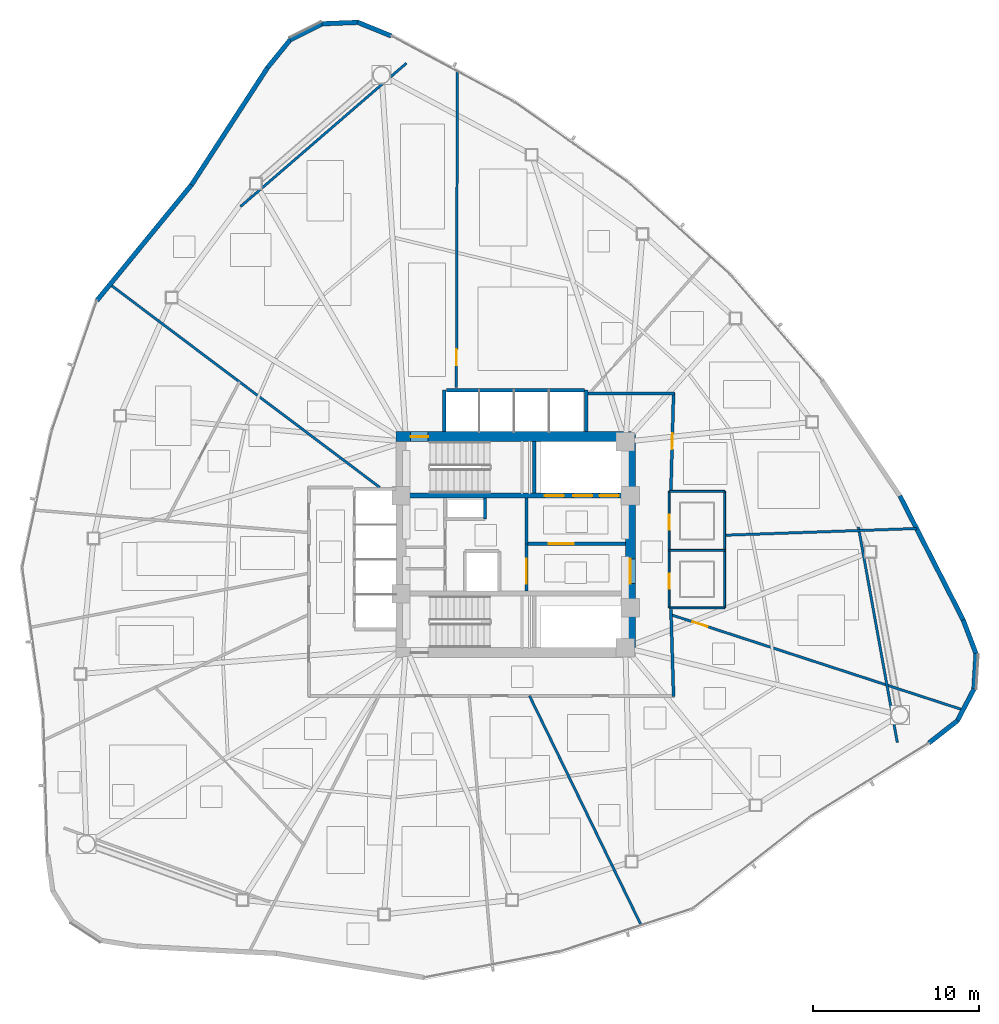
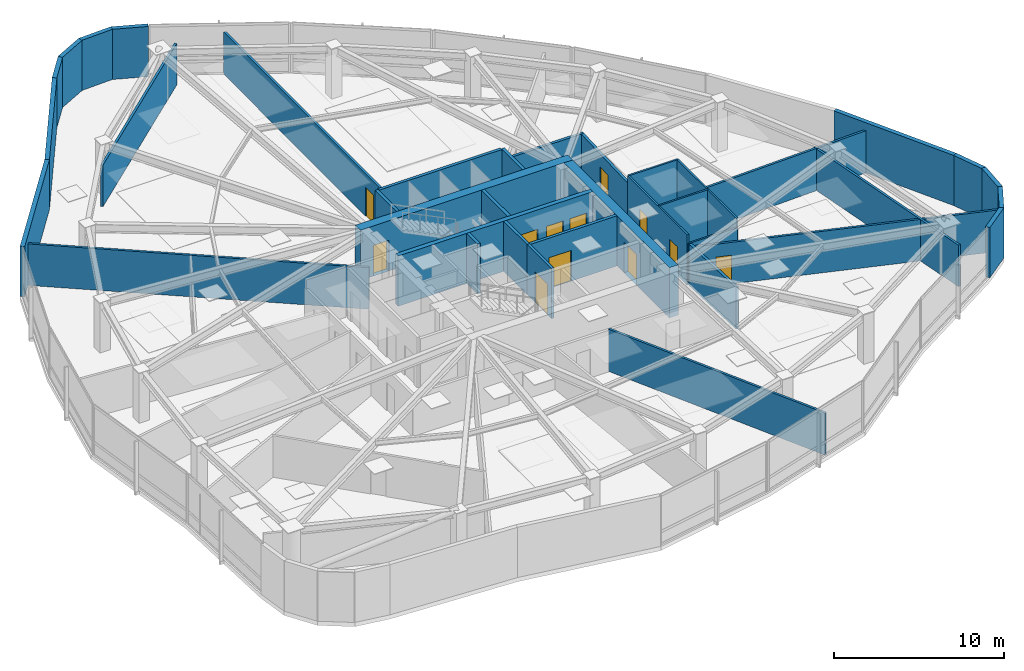
# One storey, part 12 of 17: 37 walls, 12 doors, 12 openings.
"""IFC4 building model written with IfcOpenShell, lengths in metres."""

from ifc_helpers import new_model, si_unit, direction, frame, frame_2d, origin, place, context, subcontext, project, spatial, rectangle, extrude, material, layer, layer_set, type_object, element, fill, save


model = new_model("IFC4")

# Units and contexts
model_context = context("Model", 3, precision=1e-05, world=origin(), true_north=direction((0.0, 1.0)))
body_context = subcontext(model_context, "Body", "Model", "MODEL_VIEW")
ifc_project = project(units=[si_unit("LENGTHUNIT", "METRE"), si_unit("AREAUNIT", "SQUARE_METRE"), si_unit("VOLUMEUNIT", "CUBIC_METRE"), si_unit("PLANEANGLEUNIT", "RADIAN"), si_unit("MASSUNIT", "GRAM", prefix="KILO")], contexts=[model_context])

# Site, building, storey
site_placement = place(None, origin())
site = spatial("IfcSite", under=ifc_project, at=site_placement, CompositionType="ELEMENT")
building_placement = place(site_placement, origin())
building = spatial("IfcBuilding", under=site, at=building_placement, Name="Tavelor Broadcast Tower", CompositionType="ELEMENT")
storey_placement = place(building_placement, frame((0.0, 0.0, 86.10009765625)))
storey = spatial("IfcBuildingStorey", under=building, at=storey_placement, Name="L20", CompositionType="ELEMENT", Elevation=86.10009765625)

# Wall, opening, door
ifc_material_1 = material(Name="Concrete C60/75", Category="concrete")
ifc_layer_1 = layer(ifc_material_1, 0.60009765625)
ifc_layer_set_1 = layer_set([ifc_layer_1], Name="Concrete C60/75")
wall_type_1 = type_object("IfcWallType", Name="Core Shear Wall 600 mm", PredefinedType="SHEAR", material=ifc_layer_set_1)
wall_1_placement = place(storey_placement, frame((42.800048828125, 51.5, 0.0), z_axis=(0.0, 0.0, 1.0), x_axis=(1.0, 0.0, 0.0)))
wall_1 = element("IfcWall", 1, at=wall_1_placement, inside=storey, type_object=wall_type_1, Name="L20 Central Core Shear Wall N", PredefinedType="SHEAR", context=body_context, shape_type="SweptSolid", body=[
    extrude(rectangle(XDim=14.39990234375, YDim=0.60009765625, at=frame_2d((7.199951171875, 0.0))), origin(), (0.0, 0.0, 1.0), 3.599853515625),
])
opening_1_placement = place(wall_1_placement, frame((0.8798828125, 0.0, 0.0)))
opening_1 = element("IfcOpeningElement", 2, at=opening_1_placement, cuts=wall_1, Name="Opening DR11", PredefinedType="OPENING", context=body_context, shape_type="SweptSolid", body=[
    extrude(rectangle(XDim=1.050048828125, YDim=2.199951171875, at=frame_2d((0.52490234375, 1.10009765625))), frame((0.0, 0.31005859375, 0.0), z_axis=(0.0, -1.0, 0.0), x_axis=(1.0, 0.0, 0.0)), (0.0, 0.0, 1.0), 0.6201171875),
])
ifc_material_2 = material(Name="Steel S355", Category="steel")
door_type_1 = type_object("IfcDoorType", Name="Stair Core Fire Escape Door 1050x2200", OperationType="NOTDEFINED", PredefinedType="DOOR", material=ifc_material_2)
door_1_placement = place(opening_1_placement, origin())
door_1 = element("IfcDoor", 3, at=door_1_placement, inside=storey, type_object=door_type_1, Name="L20 Stair ST1 Protected Exit Door", OperationType="SINGLE_SWING_LEFT", OverallHeight=2.199951171875, OverallWidth=1.050048828125, PredefinedType="DOOR", context=body_context, shape_type="SweptSolid", body=[
    extrude(rectangle(XDim=1.050048828125, YDim=2.199951171875, at=frame_2d((0.52490234375, 1.10009765625))), frame((0.0, 0.02490234375, 0.0), z_axis=(0.0, -1.0, 0.0), x_axis=(1.0, 0.0, 0.0)), (0.0, 0.0, 1.0), 0.050048828125),
])
fill(opening_1, door_1)

wall_2_placement = place(storey_placement, frame((56.89990234375, 38.800048828125, 0.0), z_axis=(0.0, 0.0, 1.0), x_axis=(0.0, 1.0, 0.0)))
wall_2 = element("IfcWall", 4, at=wall_2_placement, inside=storey, type_object=wall_type_1, Name="L20 Central Core Shear Wall E", PredefinedType="SHEAR", context=body_context, shape_type="SweptSolid", body=[
    extrude(rectangle(XDim=12.39990234375, YDim=0.60009765625, at=frame_2d((6.199951171875, 0.0))), origin(), (0.0, 0.0, 1.0), 3.599853515625),
])
opening_2_placement = place(wall_2_placement, frame((3.85009765625, 0.0, 0.0)))
opening_2 = element("IfcOpeningElement", 5, at=opening_2_placement, cuts=wall_2, Name="Opening DR14", PredefinedType="OPENING", context=body_context, shape_type="SweptSolid", body=[
    extrude(rectangle(XDim=1.5, YDim=2.199951171875, at=frame_2d((0.75, 1.10009765625))), frame((0.0, 0.31005859375, 0.0), z_axis=(0.0, -1.0, 0.0), x_axis=(1.0, 0.0, 0.0)), (0.0, 0.0, 1.0), 0.6201171875),
])
door_type_2 = type_object("IfcDoorType", Name="Firefighting Lobby Double Fire Door 1500x2200", OperationType="NOTDEFINED", PredefinedType="DOOR", material=ifc_material_2)
door_2_placement = place(opening_2_placement, origin())
door_2 = element("IfcDoor", 6, at=door_2_placement, inside=storey, type_object=door_type_2, Name="L20 Central Core Lobby Fire Door", OperationType="SINGLE_SWING_RIGHT", OverallHeight=2.199951171875, OverallWidth=1.5, PredefinedType="DOOR", context=body_context, shape_type="SweptSolid", body=[
    extrude(rectangle(XDim=1.5, YDim=2.199951171875, at=frame_2d((0.75, 1.10009765625))), frame((0.0, 0.02490234375, 0.0), z_axis=(0.0, -1.0, 0.0), x_axis=(1.0, 0.0, 0.0)), (0.0, 0.0, 1.0), 0.050048828125),
])
fill(opening_2, door_2)

# Wall, openings, doors
ifc_layer_2 = layer(ifc_material_1, 0.300048828125)
ifc_layer_set_2 = layer_set([ifc_layer_2], Name="Concrete C60/75")
wall_type_2 = type_object("IfcWallType", Name="Core Spine Shear Wall 300 mm C60", PredefinedType="SHEAR", material=ifc_layer_set_2)
wall_3_placement = place(storey_placement, frame((43.39990234375, 47.949951171875, 0.0), z_axis=(0.0, 0.0, 1.0), x_axis=(1.0, 0.0, 0.0)))
wall_3 = element("IfcWall", 7, at=wall_3_placement, inside=storey, type_object=wall_type_2, Name="L20 Central Core Shear Wall SP1", PredefinedType="SHEAR", context=body_context, shape_type="SweptSolid", body=[
    extrude(rectangle(XDim=13.2001953125, YDim=0.300048828125, at=frame_2d((6.60009765625, 0.0))), origin(), (0.0, 0.0, 1.0), 3.599853515625),
])
opening_3_placement = place(wall_3_placement, frame((8.344970703125, 0.0, 0.0)))
opening_3 = element("IfcOpeningElement", 8, at=opening_3_placement, cuts=wall_3, Name="Opening LD02", PredefinedType="OPENING", context=body_context, shape_type="SweptSolid", body=[
    extrude(rectangle(XDim=1.14990234375, YDim=2.199951171875, at=frame_2d((0.574951171875, 1.10009765625))), frame((0.0, 0.16015625, 0.0), z_axis=(0.0, -1.0, 0.0), x_axis=(1.0, 0.0, 0.0)), (0.0, 0.0, 1.0), 0.320068359375),
])
opening_4_placement = place(wall_3_placement, frame((10.06494140625, 0.0, 0.0)))
opening_4 = element("IfcOpeningElement", 9, at=opening_4_placement, cuts=wall_3, Name="Opening LD02", PredefinedType="OPENING", context=body_context, shape_type="SweptSolid", body=[
    extrude(rectangle(XDim=1.14990234375, YDim=2.199951171875, at=frame_2d((0.574951171875, 1.10009765625))), frame((0.0, 0.16015625, 0.0), z_axis=(0.0, -1.0, 0.0), x_axis=(1.0, 0.0, 0.0)), (0.0, 0.0, 1.0), 0.320068359375),
])
opening_5_placement = place(wall_3_placement, frame((11.64501953125, 0.0, 0.0)))
opening_5 = element("IfcOpeningElement", 10, at=opening_5_placement, cuts=wall_3, Name="Opening LD03", PredefinedType="OPENING", context=body_context, shape_type="SweptSolid", body=[
    extrude(rectangle(XDim=1.14990234375, YDim=2.199951171875, at=frame_2d((0.574951171875, 1.10009765625))), frame((0.0, 0.16015625, 0.0), z_axis=(0.0, -1.0, 0.0), x_axis=(1.0, 0.0, 0.0)), (0.0, 0.0, 1.0), 0.320068359375),
])
ifc_material_3 = material(Name="Reinforced Brushed Stainless Steel", Category="concrete")
door_type_3 = type_object("IfcDoorType", Name="Broadcast Goods Lift Sliding Landing Door 1250x2200", OperationType="NOTDEFINED", PredefinedType="DOOR", material=ifc_material_3)
door_3_placement = place(opening_5_placement, origin())
door_3 = element("IfcDoor", 11, at=door_3_placement, inside=storey, type_object=door_type_3, Name="L20 Lift SVL1 Sliding Landing Door", OperationType="SLIDING_TO_LEFT", OverallHeight=2.199951171875, OverallWidth=1.14990234375, PredefinedType="DOOR", context=body_context, shape_type="SweptSolid", body=[
    extrude(rectangle(XDim=1.14990234375, YDim=2.199951171875, at=frame_2d((0.574951171875, 1.10009765625))), frame((0.0, 0.02490234375, 0.0), z_axis=(0.0, -1.0, 0.0), x_axis=(1.0, 0.0, 0.0)), (0.0, 0.0, 1.0), 0.050048828125),
])
fill(opening_5, door_3)
ifc_material_4 = material(Name="Fire-Rated Stainless Steel", Category="steel")
door_type_4 = type_object("IfcDoorType", Name="Firefighting Lift Sliding Landing Door 1200x2200", OperationType="NOTDEFINED", PredefinedType="DOOR", material=ifc_material_4)
door_4_placement = place(opening_3_placement, origin())
door_4 = element("IfcDoor", 12, at=door_4_placement, inside=storey, type_object=door_type_4, Name="L20 Lift FFL1 Sliding Landing Door", OperationType="SLIDING_TO_LEFT", OverallHeight=2.199951171875, OverallWidth=1.14990234375, PredefinedType="DOOR", context=body_context, shape_type="SweptSolid", body=[
    extrude(rectangle(XDim=1.14990234375, YDim=2.199951171875, at=frame_2d((0.574951171875, 1.10009765625))), frame((0.0, 0.02490234375, 0.0), z_axis=(0.0, -1.0, 0.0), x_axis=(1.0, 0.0, 0.0)), (0.0, 0.0, 1.0), 0.050048828125),
])
fill(opening_3, door_4)
door_5_placement = place(opening_4_placement, origin())
door_5 = element("IfcDoor", 13, at=door_5_placement, inside=storey, type_object=door_type_4, Name="L20 Lift FFL2 Sliding Landing Door", OperationType="SLIDING_TO_LEFT", OverallHeight=2.199951171875, OverallWidth=1.14990234375, PredefinedType="DOOR", context=body_context, shape_type="SweptSolid", body=[
    extrude(rectangle(XDim=1.14990234375, YDim=2.199951171875, at=frame_2d((0.574951171875, 1.10009765625))), frame((0.0, 0.02490234375, 0.0), z_axis=(0.0, -1.0, 0.0), x_axis=(1.0, 0.0, 0.0)), (0.0, 0.0, 1.0), 0.050048828125),
])
fill(opening_4, door_5)

# Wall, opening, door
ifc_material_5 = material(Name="Calcium Silicate Fire Board 180 mm", Category="gypsum")
ifc_layer_3 = layer(ifc_material_5, 0.179931640625)
ifc_layer_set_3 = layer_set([ifc_layer_3], Name="Calcium Silicate Fire Board 180 mm")
wall_type_3 = type_object("IfcWallType", Name="Fire-Rated Corridor Partition Wall 180 mm", PredefinedType="PARTITIONING", material=ifc_layer_set_3)
wall_4_placement = place(storey_placement, frame((50.64990234375, 42.199951171875, 0.0), z_axis=(0.0, 0.0, 1.0), x_axis=(0.0, 1.0, 0.0)))
wall_4 = element("IfcWall", 14, at=wall_4_placement, inside=storey, type_object=wall_type_3, Name="L20 Core Lobby Zoning Wall", PredefinedType="PARTITIONING", context=body_context, shape_type="SweptSolid", body=[
    extrude(rectangle(XDim=2.85009765625, YDim=0.179931640625, at=frame_2d((1.425048828125, 0.0))), origin(), (0.0, 0.0, 1.0), 3.599853515625),
])
opening_6_placement = place(wall_4_placement, frame((0.449951171875, 0.0, 0.0)))
opening_6 = element("IfcOpeningElement", 15, at=opening_6_placement, cuts=wall_4, Name="Opening DR14", PredefinedType="OPENING", context=body_context, shape_type="SweptSolid", body=[
    extrude(rectangle(XDim=1.5, YDim=2.199951171875, at=frame_2d((0.75, 1.10009765625))), frame((0.0, 0.10009765625, 0.0), z_axis=(0.0, -1.0, 0.0), x_axis=(1.0, 0.0, 0.0)), (0.0, 0.0, 1.0), 0.199951171875),
])
door_6_placement = place(opening_6_placement, origin())
door_6 = element("IfcDoor", 16, at=door_6_placement, inside=storey, type_object=door_type_2, Name="L20 Core West Lobby Double Fire Door", OperationType="SINGLE_SWING_RIGHT", OverallHeight=2.199951171875, OverallWidth=1.5, PredefinedType="DOOR", context=body_context, shape_type="SweptSolid", body=[
    extrude(rectangle(XDim=1.5, YDim=2.199951171875, at=frame_2d((0.75, 1.10009765625))), frame((0.0, 0.02490234375, 0.0), z_axis=(0.0, -1.0, 0.0), x_axis=(1.0, 0.0, 0.0)), (0.0, 0.0, 1.0), 0.050048828125),
])
fill(opening_6, door_6)

# Wall
wall_5_placement = place(storey_placement, frame((54.300048828125, 54.10009765625, 0.0), z_axis=(0.0, 0.0, 1.0), x_axis=(1.0, 0.0, 0.0)))
element("IfcWall", 17, at=wall_5_placement, inside=storey, type_object=wall_type_3, Name="L20 Corridor Compartment Wall 01", PredefinedType="PARTITIONING", context=body_context, shape_type="SweptSolid", body=[
    extrude(rectangle(XDim=5.25, YDim=0.179931640625, at=frame_2d((2.625, 0.0))), origin(), (0.0, 0.0, 1.0), 2.974853515625),
])

# Wall, opening, door
wall_6_placement = place(storey_placement, frame((59.50146484375, 54.14990234375, 0.0), z_axis=(0.0, 0.0, 1.0), x_axis=(-0.027367567602, -0.999625437973, 0.0)))
wall_6 = element("IfcWall", 18, at=wall_6_placement, inside=storey, type_object=wall_type_3, Name="L20 Corridor Compartment Wall 02", PredefinedType="PARTITIONING", context=body_context, shape_type="SweptSolid", body=[
    extrude(rectangle(XDim=5.85205078125, YDim=0.179931640625, at=frame_2d((2.926025390625, 0.0))), origin(), (0.0, 0.0, 1.0), 2.974853515625),
])
opening_7_placement = place(wall_6_placement, frame((2.451171875, 0.0, 0.0)))
opening_7 = element("IfcOpeningElement", 19, at=opening_7_placement, cuts=wall_6, Name="Opening DR18", PredefinedType="OPENING", context=body_context, shape_type="SweptSolid", body=[
    extrude(rectangle(XDim=0.949951171875, YDim=2.050048828125, at=frame_2d((0.47509765625, 1.02490234375))), frame((0.0, 0.10009765625, 0.0), z_axis=(0.0, -1.0, 0.0), x_axis=(1.0, 0.0, 0.0)), (0.0, 0.0, 1.0), 0.199951171875),
])
ifc_material_6 = material(Name="Timber Solid Core Hardwood", Category="wood")
door_type_5 = type_object("IfcDoorType", Name="Corridor Rated Compartment Door 950x2050", OperationType="NOTDEFINED", PredefinedType="DOOR", material=ifc_material_6)
door_7_placement = place(opening_7_placement, origin())
door_7 = element("IfcDoor", 20, at=door_7_placement, inside=storey, type_object=door_type_5, Name="L20 International Bureau Office Door R9", OperationType="SINGLE_SWING_LEFT", OverallHeight=2.050048828125, OverallWidth=0.949951171875, PredefinedType="DOOR", context=body_context, shape_type="SweptSolid", body=[
    extrude(rectangle(XDim=0.949951171875, YDim=2.050048828125, at=frame_2d((0.47509765625, 1.02490234375))), frame((0.0, 0.02490234375, 0.0), z_axis=(0.0, -1.0, 0.0), x_axis=(1.0, 0.0, 0.0)), (0.0, 0.0, 1.0), 0.050048828125),
])
fill(opening_7, door_7)

# Walls
wall_7_placement = place(storey_placement, frame((59.341552734375, 41.10009765625, 0.0), z_axis=(0.0, 0.0, 1.0), x_axis=(0.030445329425, -0.999536433511, 0.0)))
element("IfcWall", 21, at=wall_7_placement, inside=storey, type_object=wall_type_3, Name="L20 Corridor Compartment Wall 03", PredefinedType="PARTITIONING", context=body_context, shape_type="SweptSolid", body=[
    extrude(rectangle(XDim=5.25244140625, YDim=0.179931640625, at=frame_2d((2.626220703125, 0.0))), origin(), (0.0, 0.0, 1.0), 2.974853515625),
])
ifc_material_7 = material(Name="Precast Concrete C40/50", Category="concrete")
ifc_layer_4 = layer(ifc_material_7, 0.280029296875)
ifc_layer_set_4 = layer_set([ifc_layer_4], Name="Precast Concrete C40/50")
wall_type_4 = type_object("IfcWallType", Name="Insulated Precast Terracotta Facade Wall 280 mm", PredefinedType="STANDARD", material=ifc_layer_set_4)
wall_8_placement = place(storey_placement, frame((42.50732421875, 75.6240234375, 0.0), z_axis=(0.0, 0.0, 1.0), x_axis=(-0.926851598558, 0.375427908194, 0.0)))
element("IfcWall", 22, at=wall_8_placement, inside=storey, type_object=wall_type_4, Name="L20 Rounded Corner Structural Cladding Pier 01", PredefinedType="STANDARD", context=body_context, shape_type="SweptSolid", body=[
    extrude(rectangle(XDim=2.1875, YDim=0.280029296875, at=frame_2d((1.09375, 0.0))), origin(), (0.0, 0.0, 1.0), 3.599853515625),
])
for number, where, z_axis, x_axis, name in (
    (23, (40.5087890625, 76.440185546875, 0.0), (0.0, 0.0, 1.0), (-0.999233242148, -0.039152621703, 0.0), "L20 Rounded Corner Structural Cladding Pier 02"),
    (24, (38.36279296875, 76.3623046875, 0.0), (0.0, 0.0, 1.0), (-0.894516916348, -0.44703409978, 0.0), "L20 Rounded Corner Structural Cladding Pier 03"),
):
    element("IfcWall", number, at=place(storey_placement, frame(where, z_axis=z_axis, x_axis=x_axis)), inside=storey, type_object=wall_type_4, Name=name, PredefinedType="STANDARD", context=body_context, shape_type="SweptSolid", body=[
        extrude(rectangle(XDim=2.17626953125, YDim=0.280029296875, at=frame_2d((1.088134765625, 0.0))), origin(), (0.0, 0.0, 1.0), 3.599853515625),
    ])
wall_9_placement = place(storey_placement, frame((36.43896484375, 75.407958984375, 0.0), z_axis=(0.0, 0.0, 1.0), x_axis=(-0.631294698171, -0.775543038175, 0.0)))
element("IfcWall", 25, at=wall_9_placement, inside=storey, type_object=wall_type_4, Name="L20 Rounded Corner Structural Cladding Pier 04", PredefinedType="STANDARD", context=body_context, shape_type="SweptSolid", body=[
    extrude(rectangle(XDim=2.198486328125, YDim=0.280029296875, at=frame_2d((1.09912109375, 0.0))), origin(), (0.0, 0.0, 1.0), 3.599853515625),
])
wall_10_placement = place(storey_placement, frame((35.068603515625, 73.72705078125, 0.0), z_axis=(0.0, 0.0, 1.0), x_axis=(-0.544309027103, -0.838884785304, 0.0)))
element("IfcWall", 26, at=wall_10_placement, inside=storey, type_object=wall_type_4, Name="L20 Rounded Corner Structural Cladding Pier 05", PredefinedType="STANDARD", context=body_context, shape_type="SweptSolid", body=[
    extrude(rectangle(XDim=8.427978515625, YDim=0.280029296875, at=frame_2d((4.2138671875, 0.0))), origin(), (0.0, 0.0, 1.0), 3.599853515625),
])
wall_11_placement = place(storey_placement, frame((30.4990234375, 66.68115234375, 0.0), z_axis=(0.0, 0.0, 1.0), x_axis=(-0.632922306021, -0.774215315362, 0.0)))
element("IfcWall", 27, at=wall_11_placement, inside=storey, type_object=wall_type_4, Name="L20 Rounded Corner Structural Cladding Pier 06", PredefinedType="STANDARD", context=body_context, shape_type="SweptSolid", body=[
    extrude(rectangle(XDim=9.019775390625, YDim=0.280029296875, at=frame_2d((4.509765625, 0.0))), origin(), (0.0, 0.0, 1.0), 3.599853515625),
])
wall_12_placement = place(storey_placement, frame((74.86767578125, 33.05908203125, 0.0), z_axis=(0.0, 0.0, 1.0), x_axis=(0.788540193269, 0.61498322221, 0.0)))
element("IfcWall", 28, at=wall_12_placement, inside=storey, type_object=wall_type_4, Name="L20 Rounded Corner Structural Cladding Pier 21", PredefinedType="STANDARD", context=body_context, shape_type="SweptSolid", body=[
    extrude(rectangle(XDim=2.1875, YDim=0.280029296875, at=frame_2d((1.09375, 0.0))), origin(), (0.0, 0.0, 1.0), 3.599853515625),
])
for number, where, z_axis, x_axis, name in (
    (29, (76.57373046875, 34.3818359375, 0.0), (0.0, 0.0, 1.0), (0.465607704902, 0.884991223197, 0.0), "L20 Rounded Corner Structural Cladding Pier 22"),
    (30, (77.5791015625, 36.279296875, 0.0), (0.0, 0.0, 1.0), (0.060135994566, 0.998190193379, 0.0), "L20 Rounded Corner Structural Cladding Pier 23"),
):
    element("IfcWall", number, at=place(storey_placement, frame(where, z_axis=z_axis, x_axis=x_axis)), inside=storey, type_object=wall_type_4, Name=name, PredefinedType="STANDARD", context=body_context, shape_type="SweptSolid", body=[
        extrude(rectangle(XDim=2.176025390625, YDim=0.280029296875, at=frame_2d((1.087890625, 0.0))), origin(), (0.0, 0.0, 1.0), 3.599853515625),
    ])
wall_13_placement = place(storey_placement, frame((77.714599609375, 38.422607421875, 0.0), z_axis=(0.0, 0.0, 1.0), x_axis=(-0.356023034706, 0.934477179367, 0.0)))
element("IfcWall", 31, at=wall_13_placement, inside=storey, type_object=wall_type_4, Name="L20 Rounded Corner Structural Cladding Pier 24", PredefinedType="STANDARD", context=body_context, shape_type="SweptSolid", body=[
    extrude(rectangle(XDim=2.198486328125, YDim=0.280029296875, at=frame_2d((1.09912109375, 0.0))), origin(), (0.0, 0.0, 1.0), 3.599853515625),
])
wall_14_placement = place(storey_placement, frame((76.944091796875, 40.44970703125, 0.0), z_axis=(0.0, 0.0, 1.0), x_axis=(-0.454362243703, 0.890817013476, 0.0)))
element("IfcWall", 32, at=wall_14_placement, inside=storey, type_object=wall_type_4, Name="L20 Rounded Corner Structural Cladding Pier 25", PredefinedType="STANDARD", context=body_context, shape_type="SweptSolid", body=[
    extrude(rectangle(XDim=8.411865234375, YDim=0.280029296875, at=frame_2d((4.2060546875, 0.0))), origin(), (0.0, 0.0, 1.0), 3.599853515625),
])
ifc_material_8 = material(Name="Gypsum Acoustic Plasterboard 150 mm", Category="gypsum")
ifc_layer_5 = layer(ifc_material_8, 0.14990234375)
ifc_layer_set_5 = layer_set([ifc_layer_5], Name="Gypsum Acoustic Plasterboard 150 mm")
wall_type_5 = type_object("IfcWallType", Name="Interior Acoustic Partition Wall 150 mm", PredefinedType="PARTITIONING", material=ifc_layer_set_5)
wall_15_placement = place(storey_placement, frame((43.42138671875, 73.9794921875, 0.0), z_axis=(0.0, 0.0, 1.0), x_axis=(-0.756659135409, -0.653809569218, 0.0)))
element("IfcWall", 33, at=wall_15_placement, inside=storey, type_object=wall_type_5, Name="L20 Corner Tube Brace Furring Wall 1", PredefinedType="PARTITIONING", context=body_context, shape_type="SweptSolid", body=[
    extrude(rectangle(XDim=13.200439453125, YDim=0.14990234375, at=frame_2d((6.60009765625, 0.0))), origin(), (0.0, 0.0, 1.0), 2.974853515625),
])
wall_16_placement = place(storey_placement, frame((72.96923828125, 33.09130859375, 0.0), z_axis=(0.0, 0.0, 1.0), x_axis=(-0.177742578179, 0.984077017261, 0.0)))
element("IfcWall", 34, at=wall_16_placement, inside=storey, type_object=wall_type_5, Name="L20 Corner Tube Brace Furring Wall 3", PredefinedType="PARTITIONING", context=body_context, shape_type="SweptSolid", body=[
    extrude(rectangle(XDim=13.179443359375, YDim=0.14990234375, at=frame_2d((6.58984375, 0.0))), origin(), (0.0, 0.0, 1.0), 2.974853515625),
])
wall_17_placement = place(storey_placement, frame((50.828857421875, 35.89990234375, 0.0), z_axis=(0.0, 0.0, 1.0), x_axis=(0.437604942245, -0.899167345116, 0.0)))
element("IfcWall", 35, at=wall_17_placement, inside=storey, type_object=wall_type_5, Name="L20 Radial Compartment Wall 05", PredefinedType="PARTITIONING", context=body_context, shape_type="SweptSolid", body=[
    extrude(rectangle(XDim=15.367431640625, YDim=0.14990234375, at=frame_2d((7.68359375, 0.0))), origin(), (0.0, 0.0, 1.0), 3.02490234375),
])

# Wall, opening, door
wall_18_placement = place(storey_placement, frame((59.351318359375, 40.779296875, 0.0), z_axis=(0.0, 0.0, 1.0), x_axis=(0.950783281681, -0.309856662468, 0.0)))
wall_18 = element("IfcWall", 36, at=wall_18_placement, inside=storey, type_object=wall_type_5, Name="L20 Radial Compartment Wall 06", PredefinedType="PARTITIONING", context=body_context, shape_type="SweptSolid", body=[
    extrude(rectangle(XDim=18.49462890625, YDim=0.14990234375, at=frame_2d((9.247314453125, 0.0))), origin(), (0.0, 0.0, 1.0), 2.974853515625),
])
opening_8_placement = place(wall_18_placement, frame((1.35009765625, 0.0, 0.0)))
opening_8 = element("IfcOpeningElement", 37, at=opening_8_placement, cuts=wall_18, Name="Opening DR18", PredefinedType="OPENING", context=body_context, shape_type="SweptSolid", body=[
    extrude(rectangle(XDim=0.949951171875, YDim=2.050048828125, at=frame_2d((0.47509765625, 1.02490234375))), frame((0.0, 0.0849609375, 0.0), z_axis=(0.0, -1.0, 0.0), x_axis=(1.0, 0.0, 0.0)), (0.0, 0.0, 1.0), 0.169921875),
])
door_8_placement = place(opening_8_placement, origin())
door_8 = element("IfcDoor", 38, at=door_8_placement, inside=storey, type_object=door_type_5, Name="L20 Suite Connecting Door 10", OperationType="SINGLE_SWING_RIGHT", OverallHeight=2.050048828125, OverallWidth=0.949951171875, PredefinedType="DOOR", context=body_context, shape_type="SweptSolid", body=[
    extrude(rectangle(XDim=0.949951171875, YDim=2.050048828125, at=frame_2d((0.47509765625, 1.02490234375))), frame((0.0, 0.02490234375, 0.0), z_axis=(0.0, -1.0, 0.0), x_axis=(1.0, 0.0, 0.0)), (0.0, 0.0, 1.0), 0.050048828125),
])
fill(opening_8, door_8)

# Wall
wall_19_placement = place(storey_placement, frame((62.64990234375, 45.5693359375, 0.0), z_axis=(0.0, 0.0, 1.0), x_axis=(0.999386624809, 0.035019625243, 0.0)))
element("IfcWall", 39, at=wall_19_placement, inside=storey, type_object=wall_type_5, Name="L20 Radial Compartment Wall 07", PredefinedType="PARTITIONING", context=body_context, shape_type="SweptSolid", body=[
    extrude(rectangle(XDim=11.49609375, YDim=0.14990234375, at=frame_2d((5.748046875, 0.0))), origin(), (0.0, 0.0, 1.0), 3.02490234375),
])

# Wall, opening, door
wall_20_placement = place(storey_placement, frame((46.428466796875, 54.449951171875, 0.0), z_axis=(0.0, 0.0, 1.0), x_axis=(0.002998909978, 0.999995503259, 0.0)))
wall_20 = element("IfcWall", 40, at=wall_20_placement, inside=storey, type_object=wall_type_5, Name="L20 Radial Compartment Wall 09", PredefinedType="PARTITIONING", context=body_context, shape_type="SweptSolid", body=[
    extrude(rectangle(XDim=19.0498046875, YDim=0.14990234375, at=frame_2d((9.52490234375, 0.0))), origin(), (0.0, 0.0, 1.0), 3.02490234375),
])
opening_9_placement = place(wall_20_placement, frame((1.35009765625, 0.0, 0.0)))
opening_9 = element("IfcOpeningElement", 41, at=opening_9_placement, cuts=wall_20, Name="Opening DR18", PredefinedType="OPENING", context=body_context, shape_type="SweptSolid", body=[
    extrude(rectangle(XDim=0.949951171875, YDim=2.050048828125, at=frame_2d((0.47509765625, 1.02490234375))), frame((0.0, 0.0849609375, 0.0), z_axis=(0.0, -1.0, 0.0), x_axis=(1.0, 0.0, 0.0)), (0.0, 0.0, 1.0), 0.169921875),
])
door_9_placement = place(opening_9_placement, origin())
door_9 = element("IfcDoor", 42, at=door_9_placement, inside=storey, type_object=door_type_5, Name="L20 Suite Connecting Door 7", OperationType="SINGLE_SWING_RIGHT", OverallHeight=2.050048828125, OverallWidth=0.949951171875, PredefinedType="DOOR", context=body_context, shape_type="SweptSolid", body=[
    extrude(rectangle(XDim=0.949951171875, YDim=2.050048828125, at=frame_2d((0.47509765625, 1.02490234375))), frame((0.0, 0.02490234375, 0.0), z_axis=(0.0, -1.0, 0.0), x_axis=(1.0, 0.0, 0.0)), (0.0, 0.0, 1.0), 0.050048828125),
])
fill(opening_9, door_9)

# Walls
wall_21_placement = place(storey_placement, frame((41.813720703125, 48.449951171875, 0.0), z_axis=(0.0, 0.0, 1.0), x_axis=(-0.79913144575, 0.601156329429, 0.0)))
element("IfcWall", 43, at=wall_21_placement, inside=storey, type_object=wall_type_5, Name="L20 Radial Compartment Wall 10", PredefinedType="PARTITIONING", context=body_context, shape_type="SweptSolid", body=[
    extrude(rectangle(XDim=20.325439453125, YDim=0.14990234375, at=frame_2d((10.16259765625, 0.0))), origin(), (0.0, 0.0, 1.0), 2.974853515625),
])
ifc_material_9 = material(Name="Concrete Blockwork 200 mm", Category="masonry")
ifc_layer_6 = layer(ifc_material_9, 0.199951171875)
ifc_layer_set_6 = layer_set([ifc_layer_6], Name="Concrete Blockwork 200 mm")
wall_type_6 = type_object("IfcWallType", Name="Lift Hoistway Rated Front Wall 200 mm", PredefinedType="PARTITIONING", material=ifc_layer_set_6)
wall_22_placement = place(storey_placement, frame((45.820068359375, 54.300048828125, 0.0), z_axis=(0.0, 0.0, 1.0), x_axis=(1.0, 0.0, 0.0)))
element("IfcWall", 44, at=wall_22_placement, inside=storey, type_object=wall_type_6, Name="L20 High-Rise Lift Hoistway Front Wall", PredefinedType="PARTITIONING", context=body_context, shape_type="SweptSolid", body=[
    extrude(rectangle(XDim=8.309814453125, YDim=0.199951171875, at=frame_2d((4.15478515625, 0.0))), origin(), (0.0, 0.0, 1.0), 3.599853515625),
])
ifc_layer_7 = layer(ifc_material_9, 0.199951171875)
ifc_layer_set_7 = layer_set([ifc_layer_7], Name="Concrete Blockwork 200 mm")
wall_type_7 = type_object("IfcWallType", Name="Lift and Riser Shaft Enclosure Wall 200 mm", PredefinedType="PARTITIONING", material=ifc_layer_set_7)
for number, where, z_axis, x_axis, name in (
    (45, (45.699951171875, 51.800048828125, 0.0), (0.0, 0.0, 1.0), (0.0, 1.0, 0.0), "L20 High-Rise Lift Shaft West Wall"),
    (46, (54.25, 51.800048828125, 0.0), (0.0, 0.0, 1.0), (0.0, 1.0, 0.0), "L20 High-Rise Lift Shaft East Wall"),
):
    element("IfcWall", number, at=place(storey_placement, frame(where, z_axis=z_axis, x_axis=x_axis)), inside=storey, type_object=wall_type_7, Name=name, PredefinedType="PARTITIONING", context=body_context, shape_type="SweptSolid", body=[
        extrude(rectangle(XDim=2.5, YDim=0.199951171875, at=frame_2d((1.25, 0.0))), origin(), (0.0, 0.0, 1.0), 3.599853515625),
    ])
wall_23_placement = place(storey_placement, frame((48.14990234375, 46.550048828125, 0.0), z_axis=(0.0, 0.0, 1.0), x_axis=(0.0, 1.0, 0.0)))
element("IfcWall", 47, at=wall_23_placement, inside=storey, type_object=wall_type_7, Name="L20 Riser Shaft East Wall", PredefinedType="PARTITIONING", context=body_context, shape_type="SweptSolid", body=[
    extrude(rectangle(XDim=1.25, YDim=0.199951171875, at=frame_2d((0.625, 0.0))), origin(), (0.0, 0.0, 1.0), 3.599853515625),
])

# Wall, opening, door
wall_24_placement = place(storey_placement, frame((50.64990234375, 45.050048828125, 0.0), z_axis=(0.0, 0.0, 1.0), x_axis=(1.0, 0.0, 0.0)))
wall_24 = element("IfcWall", 48, at=wall_24_placement, inside=storey, type_object=wall_type_7, Name="L20 Firefighting Lobby South Wall", PredefinedType="PARTITIONING", context=body_context, shape_type="SweptSolid", body=[
    extrude(rectangle(XDim=5.9501953125, YDim=0.199951171875, at=frame_2d((2.97509765625, 0.0))), origin(), (0.0, 0.0, 1.0), 3.599853515625),
])
opening_10_placement = place(wall_24_placement, frame((1.35009765625, 0.0, 0.0)))
opening_10 = element("IfcOpeningElement", 49, at=opening_10_placement, cuts=wall_24, Name="Opening DR14", PredefinedType="OPENING", context=body_context, shape_type="SweptSolid", body=[
    extrude(rectangle(XDim=1.5, YDim=2.199951171875, at=frame_2d((0.75, 1.10009765625))), frame((0.0, 0.10986328125, 0.0), z_axis=(0.0, -1.0, 0.0), x_axis=(1.0, 0.0, 0.0)), (0.0, 0.0, 1.0), 0.219970703125),
])
door_10_placement = place(opening_10_placement, origin())
door_10 = element("IfcDoor", 50, at=door_10_placement, inside=storey, type_object=door_type_2, Name="L20 Firefighting Lobby Compartment Door", OperationType="SINGLE_SWING_LEFT", OverallHeight=2.199951171875, OverallWidth=1.5, PredefinedType="DOOR", context=body_context, shape_type="SweptSolid", body=[
    extrude(rectangle(XDim=1.5, YDim=2.199951171875, at=frame_2d((0.75, 1.10009765625))), frame((0.0, 0.02490234375, 0.0), z_axis=(0.0, -1.0, 0.0), x_axis=(1.0, 0.0, 0.0)), (0.0, 0.0, 1.0), 0.050048828125),
])
fill(opening_10, door_10)

# Wall
wall_25_placement = place(storey_placement, frame((50.64990234375, 45.050048828125, 0.0), z_axis=(0.0, 0.0, 1.0), x_axis=(0.0, 1.0, 0.0)))
element("IfcWall", 51, at=wall_25_placement, inside=storey, type_object=wall_type_7, Name="L20 Firefighting Lobby West Wall", PredefinedType="PARTITIONING", context=body_context, shape_type="SweptSolid", body=[
    extrude(rectangle(XDim=2.75, YDim=0.199951171875, at=frame_2d((1.375, 0.0))), origin(), (0.0, 0.0, 1.0), 3.599853515625),
])

# Wall, openings, doors
ifc_material_10 = material(Name="Moisture-Resistant Plasterboard 120 mm", Category="gypsum")
ifc_layer_8 = layer(ifc_material_10, 0.1201171875)
ifc_layer_set_8 = layer_set([ifc_layer_8], Name="Moisture-Resistant Plasterboard 120 mm")
wall_type_8 = type_object("IfcWallType", Name="Moisture-Resistant Wet-Room Partition 120 mm", PredefinedType="PARTITIONING", material=ifc_layer_set_8)
wall_26_placement = place(storey_placement, frame((59.239990234375, 41.199951171875, 0.0), z_axis=(0.0, 0.0, 1.0), x_axis=(0.0, 1.0, 0.0)))
wall_26 = element("IfcWall", 52, at=wall_26_placement, inside=storey, type_object=wall_type_8, Name="L20 Floor Washrooms West Wall", PredefinedType="PARTITIONING", context=body_context, shape_type="SweptSolid", body=[
    extrude(rectangle(XDim=7.0, YDim=0.1201171875, at=frame_2d((3.5, 0.0))), origin(), (0.0, 0.0, 1.0), 3.599853515625),
])
opening_11_placement = place(wall_26_placement, frame((1.14990234375, 0.0, 0.0)))
opening_11 = element("IfcOpeningElement", 53, at=opening_11_placement, cuts=wall_26, Name="Opening DR32", PredefinedType="OPENING", context=body_context, shape_type="SweptSolid", body=[
    extrude(rectangle(XDim=0.89990234375, YDim=2.050048828125, at=frame_2d((0.449951171875, 1.02490234375))), frame((0.0, 0.070068359375, 0.0), z_axis=(0.0, -1.0, 0.0), x_axis=(1.0, 0.0, 0.0)), (0.0, 0.0, 1.0), 0.14013671875),
])
opening_12_placement = place(wall_26_placement, frame((4.699951171875, 0.0, 0.0)))
opening_12 = element("IfcOpeningElement", 54, at=opening_12_placement, cuts=wall_26, Name="Opening DR32", PredefinedType="OPENING", context=body_context, shape_type="SweptSolid", body=[
    extrude(rectangle(XDim=0.89990234375, YDim=2.050048828125, at=frame_2d((0.449951171875, 1.02490234375))), frame((0.0, 0.070068359375, 0.0), z_axis=(0.0, -1.0, 0.0), x_axis=(1.0, 0.0, 0.0)), (0.0, 0.0, 1.0), 0.14013671875),
])
door_type_6 = type_object("IfcDoorType", Name="Accessible Washroom Door 900x2050", OperationType="NOTDEFINED", PredefinedType="DOOR", material=ifc_material_6)
door_11_placement = place(opening_11_placement, origin())
door_11 = element("IfcDoor", 55, at=door_11_placement, inside=storey, type_object=door_type_6, Name="L20 Accessible WC Door", OperationType="SINGLE_SWING_LEFT", OverallHeight=2.050048828125, OverallWidth=0.89990234375, PredefinedType="DOOR", context=body_context, shape_type="SweptSolid", body=[
    extrude(rectangle(XDim=0.89990234375, YDim=2.050048828125, at=frame_2d((0.449951171875, 1.02490234375))), frame((0.0, 0.02490234375, 0.0), z_axis=(0.0, -1.0, 0.0), x_axis=(1.0, 0.0, 0.0)), (0.0, 0.0, 1.0), 0.050048828125),
])
fill(opening_11, door_11)
door_12_placement = place(opening_12_placement, origin())
door_12 = element("IfcDoor", 56, at=door_12_placement, inside=storey, type_object=door_type_6, Name="L20 Staff Washroom WC Door", OperationType="SINGLE_SWING_RIGHT", OverallHeight=2.050048828125, OverallWidth=0.89990234375, PredefinedType="DOOR", context=body_context, shape_type="SweptSolid", body=[
    extrude(rectangle(XDim=0.89990234375, YDim=2.050048828125, at=frame_2d((0.449951171875, 1.02490234375))), frame((0.0, 0.02490234375, 0.0), z_axis=(0.0, -1.0, 0.0), x_axis=(1.0, 0.0, 0.0)), (0.0, 0.0, 1.0), 0.050048828125),
])
fill(opening_12, door_12)

# Walls
wall_27_placement = place(storey_placement, frame((59.239990234375, 41.199951171875, 0.0), z_axis=(0.0, 0.0, 1.0), x_axis=(1.0, 0.0, 0.0)))
element("IfcWall", 57, at=wall_27_placement, inside=storey, type_object=wall_type_8, Name="L20 Floor Washrooms South Wall", PredefinedType="PARTITIONING", context=body_context, shape_type="SweptSolid", body=[
    extrude(rectangle(XDim=3.340087890625, YDim=0.1201171875, at=frame_2d((1.669921875, 0.0))), origin(), (0.0, 0.0, 1.0), 2.974853515625),
])
for number, where, z_axis, x_axis, name in (
    (58, (59.239990234375, 44.64990234375, 0.0), (0.0, 0.0, 1.0), (1.0, 0.0, 0.0), "L20 Floor Washrooms Divider Wall"),
    (59, (59.239990234375, 48.199951171875, 0.0), (0.0, 0.0, 1.0), (1.0, 0.0, 0.0), "L20 Floor Washrooms North Wall"),
):
    element("IfcWall", number, at=place(storey_placement, frame(where, z_axis=z_axis, x_axis=x_axis)), inside=storey, type_object=wall_type_8, Name=name, PredefinedType="PARTITIONING", context=body_context, shape_type="SweptSolid", body=[
        extrude(rectangle(XDim=3.340087890625, YDim=0.1201171875, at=frame_2d((1.669921875, 0.0))), origin(), (0.0, 0.0, 1.0), 3.599853515625),
    ])
wall_28_placement = place(storey_placement, frame((62.580078125, 41.199951171875, 0.0), z_axis=(0.0, 0.0, 1.0), x_axis=(0.0, 1.0, 0.0)))
element("IfcWall", 60, at=wall_28_placement, inside=storey, type_object=wall_type_8, Name="L20 Floor Washrooms East Wall", PredefinedType="PARTITIONING", context=body_context, shape_type="SweptSolid", body=[
    extrude(rectangle(XDim=7.0, YDim=0.1201171875, at=frame_2d((3.5, 0.0))), origin(), (0.0, 0.0, 1.0), 3.599853515625),
])
ifc_material_11 = material(Name="Concrete C40/50", Category="concrete")
ifc_layer_9 = layer(ifc_material_11, 0.219970703125)
ifc_layer_set_9 = layer_set([ifc_layer_9], Name="Concrete C40/50")
wall_type_9 = type_object("IfcWallType", Name="Structural Stairwell Shear Wall 220 mm", PredefinedType="SHEAR", material=ifc_layer_set_9)
wall_29_placement = place(storey_placement, frame((51.110107421875, 48.10009765625, 0.0), z_axis=(0.0, 0.0, 1.0), x_axis=(0.0, 1.0, 0.0)))
element("IfcWall", 61, at=wall_29_placement, inside=storey, type_object=wall_type_9, Name="L20 Stair ST1 Structural Shaft Wall", PredefinedType="SHEAR", context=body_context, shape_type="SweptSolid", body=[
    extrude(rectangle(XDim=3.099853515625, YDim=0.219970703125, at=frame_2d((1.5498046875, 0.0))), origin(), (0.0, 0.0, 1.0), 3.599853515625),
])

save(model, "model.ifc")
